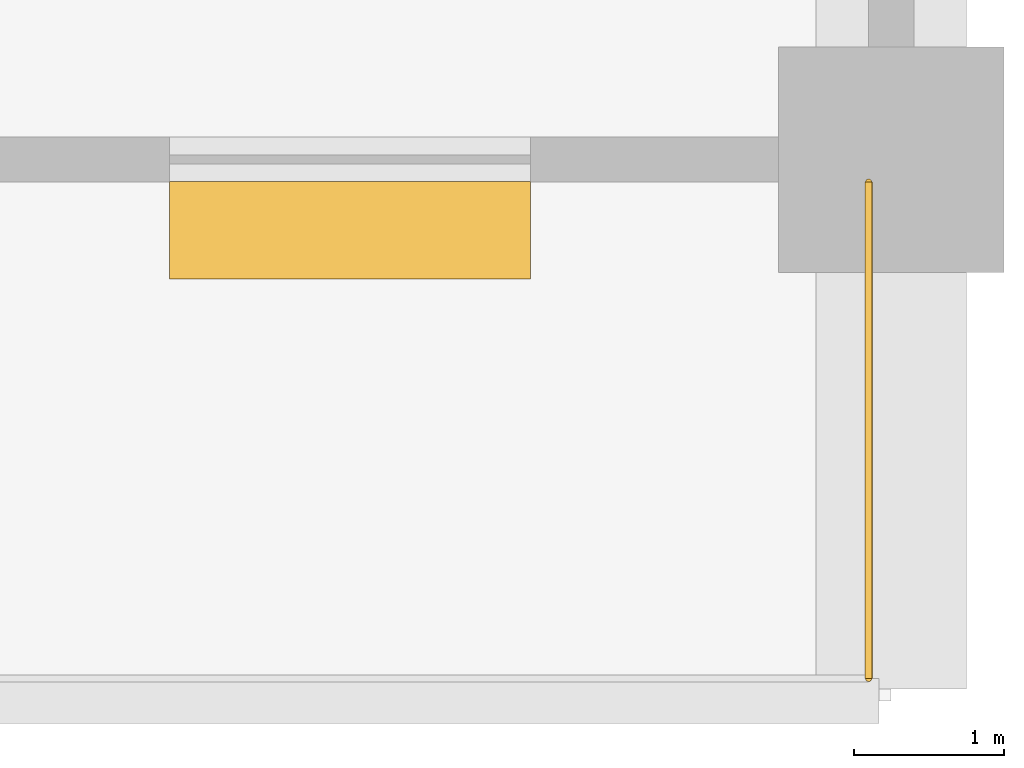
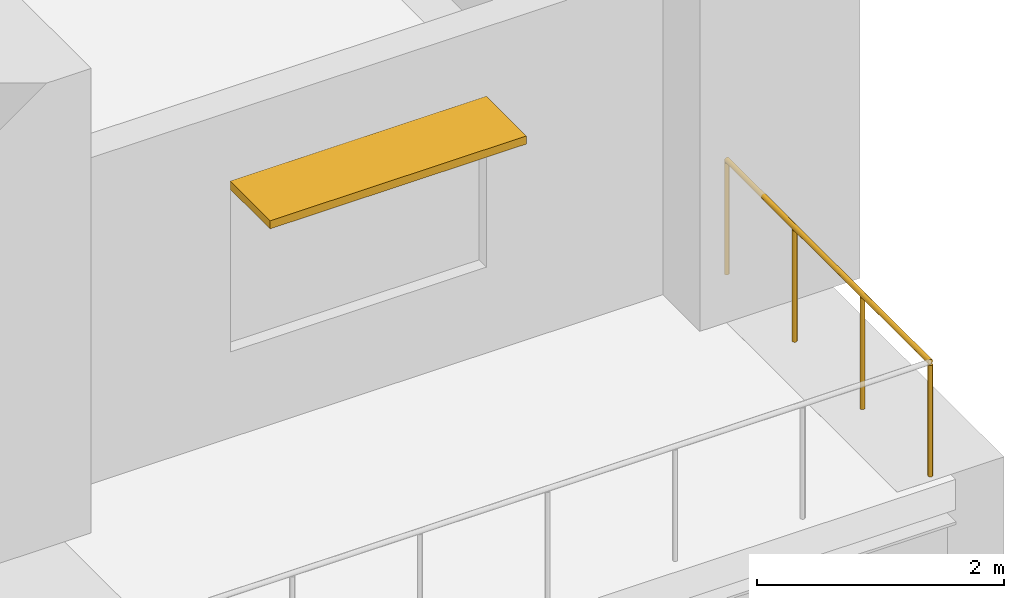
# One storey, part 11 of 11: 1 railing, 1 shading device.
"""IFC4 building model written with IfcOpenShell, lengths in metres."""

from ifc_helpers import new_model, si_unit, direction, frame, origin, origin_2d, place, context, subcontext, project, spatial, rectangle, circle, extrude, material, layer, layer_set, type_object, element, save


model = new_model("IFC4")

# Units and contexts
model_context = context("Model", 3, precision=1e-05, world=origin(), true_north=direction((0.0, 1.0)))
body_context = subcontext(model_context, "Body", "Model", "MODEL_VIEW")
ifc_project = project(units=[si_unit("LENGTHUNIT", "METRE"), si_unit("AREAUNIT", "SQUARE_METRE"), si_unit("VOLUMEUNIT", "CUBIC_METRE"), si_unit("PLANEANGLEUNIT", "RADIAN"), si_unit("MASSUNIT", "GRAM", prefix="KILO")], contexts=[model_context])

# Site, building, storey
site_placement = place(None, origin())
site = spatial("IfcSite", under=ifc_project, at=site_placement, CompositionType="ELEMENT")
building_placement = place(site_placement, origin())
building = spatial("IfcBuilding", under=site, at=building_placement, Name="Solnavia Interchange Tower", CompositionType="ELEMENT")
storey_placement = place(building_placement, frame((0.0, 0.0, 14.800048828125)))
storey = spatial("IfcBuildingStorey", under=building, at=storey_placement, Name="L03", CompositionType="ELEMENT", Elevation=14.800048828125)

# Railing
ifc_material_1 = material(Name="Laminated Safety Glass & Stainless Steel", Category="steel")
railing_type = type_object("IfcRailingType", Name="Railing-TerraceGuard-1150", PredefinedType="GUARDRAIL", material=ifc_material_1)
railing_placement = place(storey_placement, frame((71.85009765625, 0.14990234375, 0.0)))
element("IfcRailing", 1, at=railing_placement, inside=storey, type_object=railing_type, Name="GRD-L03-TER-03 Perimeter terrace guardrail", PredefinedType="GUARDRAIL", context=body_context, shape_type="SweptSolid", body=[
    extrude(circle(Radius=0.02392578125, at=origin_2d()), frame((0.0, 0.0, 1.1259765625), z_axis=(0.0, 1.0, 0.0), x_axis=(-1.0, 0.0, 0.0)), (0.0, 0.0, 1.0), 3.300048828125),
    extrude(circle(Radius=0.02099609375, at=origin_2d()), origin(), (0.0, 0.0, 1.0), 1.101806640625),
    extrude(circle(Radius=0.02099609375, at=origin_2d()), frame((0.0, 1.10009765625, 0.0)), (0.0, 0.0, 1.0), 1.101806640625),
    extrude(circle(Radius=0.02099609375, at=origin_2d()), frame((0.0, 2.199951171875, 0.0)), (0.0, 0.0, 1.0), 1.101806640625),
    extrude(circle(Radius=0.02099609375, at=origin_2d()), frame((0.0, 3.300048828125, 0.0)), (0.0, 0.0, 1.0), 1.101806640625),
])

# Shading device
ifc_material_2 = material(Name="Anodised Aluminium Sunshade", Category="aluminium")
ifc_layer = layer(ifc_material_2, 0.080078125)
ifc_layer_set = layer_set([ifc_layer], Name="Anodised Aluminium Sunshade")
shading_device_type = type_object("IfcShadingDeviceType", Name="Sunshade-Band-650", PredefinedType="SHUTTER", material=ifc_layer_set)
shading_device_placement = place(storey_placement, frame((68.39990234375, 3.1298828125, 2.4599609375), z_axis=(0.0, 0.0, 1.0), x_axis=(1.0, 0.0, 0.0)))
element("IfcShadingDevice", 2, at=shading_device_placement, inside=storey, type_object=shading_device_type, Name="SHD-L03-S07 South horizontal sunshade band", PredefinedType="SHUTTER", context=body_context, shape_type="SweptSolid", body=[
    extrude(rectangle(XDim=2.39990234375, YDim=0.64990234375, at=origin_2d()), origin(), (0.0, 0.0, 1.0), 0.080078125),
])

save(model, "model.ifc")
